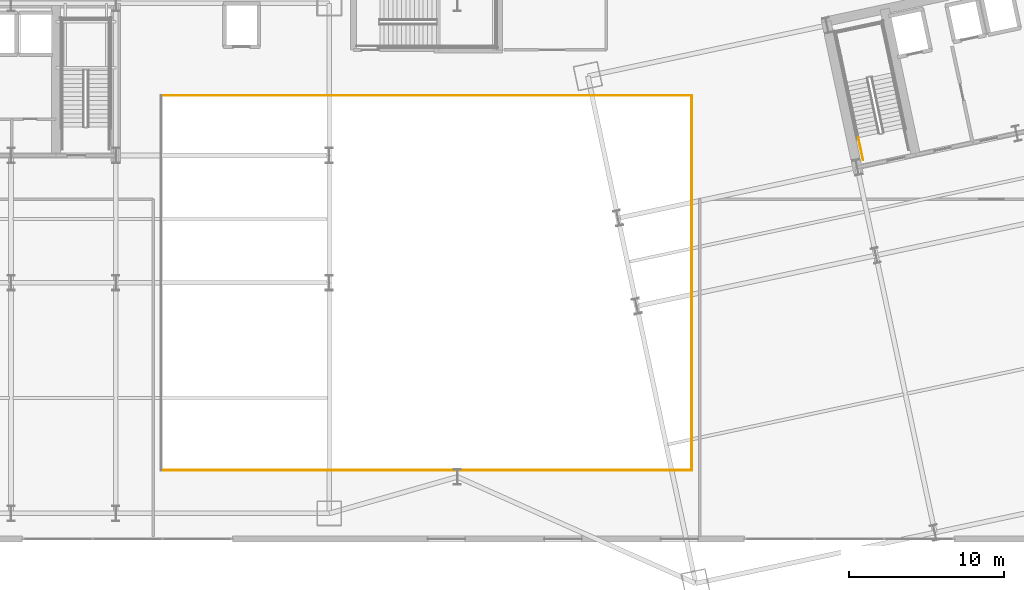
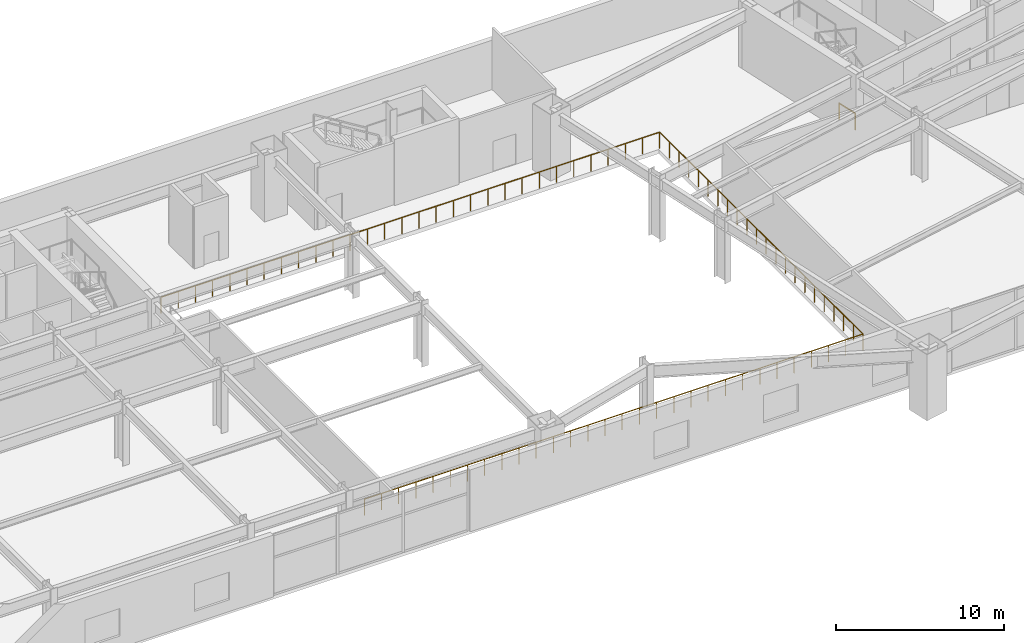
# One storey, part 22 of 25: 4 railings.
"""IFC4 building model written with IfcOpenShell, lengths in metres."""

import ifcopenshell
import ifcopenshell.guid

model = None  # the IFC model being written
_history = None  # IfcOwnerHistory: only IFC2X3 demands one
_inside = {}  # id of a spatial element -> (the spatial element, [elements in it])
_under = {}  # id of a project, library or spatial element -> (it, [spatial elements below it])
_declared = {}  # id of a project -> (the project, [libraries it declares])
_typed = {}  # id of a type object -> (the type object, [elements of that type])
_made_of = {}  # id of a material, layer set ... -> (it, [elements and type objects made of it])


def new_model(schema):
    """Start an empty IFC model of exactly this schema.

    Asked for "IFC4X3", IfcOpenShell would pick the latest addendum, in which some entities
    have other attributes; the version numbers below select the first issue.
    IFC2X3 requires an IfcOwnerHistory on every rooted entity: one is made here for all.
    """
    global model, _history
    if schema == "IFC4X3":
        model = ifcopenshell.file(schema_version=(4, 3, 0, 0))
    else:
        model = ifcopenshell.file(schema=schema)
    _inside.clear()
    _under.clear()
    _declared.clear()
    _typed.clear()
    _made_of.clear()
    _history = None
    if model.schema == "IFC2X3":
        org = make("IfcOrganization", Name="unknown")
        user = make(
            "IfcPersonAndOrganization",
            ThePerson=make("IfcPerson", FamilyName="unknown"),
            TheOrganization=org,
        )
        app = make(
            "IfcApplication",
            ApplicationDeveloper=org,
            Version="unknown",
            ApplicationFullName="unknown",
            ApplicationIdentifier="unknown",
        )
        _history = make(
            "IfcOwnerHistory",
            OwningUser=user,
            OwningApplication=app,
            ChangeAction="ADDED",
            CreationDate=0,
        )
    return model


def make(cls, **values):
    """One entity of the class cls with the attributes given. An attribute that is None is left unset."""
    return model.create_entity(
        cls, **{name: value for name, value in values.items() if value is not None}
    )


def rooted(cls, **values):
    """An entity with a GlobalId (a new one), such as an element, a storey or a relation."""
    return make(cls, GlobalId=ifcopenshell.guid.new(), OwnerHistory=_history, **values)


def si_unit(unit_type, name, prefix=None):
    """IfcSIUnit, for example si_unit("LENGTHUNIT", "METRE", prefix="MILLI")."""
    return make("IfcSIUnit", UnitType=unit_type, Prefix=prefix, Name=name)


def assignment(units):
    """IfcUnitAssignment: the units of a project."""
    return None if units is None else make("IfcUnitAssignment", Units=units)


def point(xyz):
    """IfcCartesianPoint."""
    return None if xyz is None else make("IfcCartesianPoint", Coordinates=xyz)


def direction(xyz):
    """IfcDirection."""
    return None if xyz is None else make("IfcDirection", DirectionRatios=xyz)


def frame(location, z_axis=None, x_axis=None):
    """IfcAxis2Placement3D, a coordinate frame: its origin and axes. An axis left out is left unset."""
    return make(
        "IfcAxis2Placement3D",
        Location=point(location),
        Axis=direction(z_axis),
        RefDirection=direction(x_axis),
    )


def frame_2d(location, x_axis=None):
    """IfcAxis2Placement2D, a coordinate frame in the plane: its origin and x axis."""
    return make(
        "IfcAxis2Placement2D", Location=point(location), RefDirection=direction(x_axis)
    )


def origin():
    """The frame at (0, 0, 0) with its axes left unset."""
    return frame((0.0, 0.0, 0.0))


def origin_2d():
    """The frame at (0, 0) in the plane with its x axis left unset."""
    return frame_2d((0.0, 0.0))


def place(relative_to, where):
    """IfcLocalPlacement: puts the frame where relative to a parent placement (None: the world)."""
    return make(
        "IfcLocalPlacement", PlacementRelTo=relative_to, RelativePlacement=where
    )


def context(
    kind, dimensions, precision=None, world=None, true_north=None, identifier=None
):
    """IfcGeometricRepresentationContext, for example the 3D "Model" context."""
    return make(
        "IfcGeometricRepresentationContext",
        ContextIdentifier=identifier,
        ContextType=kind,
        CoordinateSpaceDimension=dimensions,
        Precision=precision,
        WorldCoordinateSystem=world,
        TrueNorth=true_north,
    )


def subcontext(parent, identifier, kind, view, scale=None):
    """IfcGeometricRepresentationSubContext, for example "Body" below "Model"."""
    return make(
        "IfcGeometricRepresentationSubContext",
        ContextIdentifier=identifier,
        ContextType=kind,
        ParentContext=parent,
        TargetScale=scale,
        TargetView=view,
    )


def project(units=None, contexts=None):
    """IfcProject with its units and contexts."""
    return rooted(
        "IfcProject",
        Name="project",
        RepresentationContexts=contexts,
        UnitsInContext=assignment(units),
    )


def spatial(cls, under=None, at=None, **own):
    """A site, building, storey or space (cls), placed at a placement, below another one or the project."""
    s = rooted(cls, ObjectPlacement=at, **own)
    if under is not None:
        _under.setdefault(under.id(), (under, []))[1].append(s)
    return s


def profile(cls, at=None, kind="AREA", **sizes):
    """A parametric profile (cls). Its sizes go by their IFC names, for example OverallWidth=200.0."""
    return make(cls, ProfileType=kind, Position=at, **sizes)


def rectangle(**sizes):
    """IfcRectangleProfileDef."""
    return profile("IfcRectangleProfileDef", **sizes)


def extrude(swept, where, along, depth):
    """IfcExtrudedAreaSolid: the profile swept, set in the frame where, extruded along a direction by depth."""
    return make(
        "IfcExtrudedAreaSolid",
        SweptArea=swept,
        Position=where,
        ExtrudedDirection=direction(along),
        Depth=depth,
    )


def shape(context_of_items, identifier, shape_type, items):
    """IfcShapeRepresentation: the items that make up one representation, for example the "Body"."""
    return make(
        "IfcShapeRepresentation",
        ContextOfItems=context_of_items,
        RepresentationIdentifier=identifier,
        RepresentationType=shape_type,
        Items=items,
    )


def material(Name=None, Category=None):
    """IfcMaterial."""
    return make("IfcMaterial", Name=Name, Category=Category)


def made_of(thing, what):
    """Note that an element or type object is made of a material, layer set ...; save() writes the relation."""
    if what is not None:
        _made_of.setdefault(what.id(), (what, []))[1].append(thing)
    return thing


def type_object(cls, material=None, **own):
    """A type object (cls), such as IfcWallType, which elements share."""
    return made_of(rooted(cls, **own), material)


def element(
    cls,
    number,
    at=None,
    inside=None,
    cuts=None,
    type_object=None,
    material=None,
    context=None,
    identifier="Body",
    shape_type=None,
    held_by="IfcProductDefinitionShape",
    body=None,
    shapes=None,
    **own,
):
    """One element of the class cls, such as IfcWall. Its Tag is "e" and its number.

    at: its placement. inside: the storey or other place that contains it. cuts: it is an
    opening in that element (IfcRelVoidsElement). A single representation is given by context,
    identifier, shape_type and body (its items); several are given by shapes. held_by: the class
    of the entity that holds the representations. save() writes the other relations.
    """
    e = rooted(cls, Tag="e%d" % number, ObjectPlacement=at, **own)
    if body is not None:
        shapes = [shape(context, identifier, shape_type, body)]
    if shapes is not None:
        e.Representation = make(held_by, Representations=shapes)
    if inside is not None:
        _inside.setdefault(inside.id(), (inside, []))[1].append(e)
    if cuts is not None:
        rooted(
            "IfcRelVoidsElement", RelatingBuildingElement=cuts, RelatedOpeningElement=e
        )
    if type_object is not None:
        _typed.setdefault(type_object.id(), (type_object, []))[1].append(e)
    return made_of(e, material)


def aggregate(whole, parts):
    """IfcRelAggregates: a whole, such as a stair, and the parts it consists of."""
    return rooted("IfcRelAggregates", RelatingObject=whole, RelatedObjects=parts)


def save(model, path):
    """Write the relations noted so far, then the file.

    IfcRelAggregates (storeys below a building ...), IfcRelContainedInSpatialStructure (elements
    in a storey), IfcRelDefinesByType, IfcRelAssociatesMaterial and IfcRelDeclares: one each for
    every whole, place, type object, material and project.
    """
    for whole, parts in _under.values():
        aggregate(whole, parts)
    for where, things in _inside.values():
        rooted(
            "IfcRelContainedInSpatialStructure",
            RelatedElements=things,
            RelatingStructure=where,
        )
    for kind, things in _typed.values():
        rooted("IfcRelDefinesByType", RelatedObjects=things, RelatingType=kind)
    for what, things in _made_of.values():
        rooted("IfcRelAssociatesMaterial", RelatedObjects=things, RelatingMaterial=what)
    for by, libraries in _declared.values():
        rooted("IfcRelDeclares", RelatingContext=by, RelatedDefinitions=libraries)
    model.write(path)


model = new_model("IFC4")

# Units and contexts
model_context = context("Model", 3, precision=1e-05, world=origin(), true_north=direction((0.0, 1.0)))
body_context = subcontext(model_context, "Body", "Model", "MODEL_VIEW")
ifc_project = project(units=[si_unit("LENGTHUNIT", "METRE"), si_unit("AREAUNIT", "SQUARE_METRE"), si_unit("VOLUMEUNIT", "CUBIC_METRE"), si_unit("PLANEANGLEUNIT", "RADIAN"), si_unit("MASSUNIT", "GRAM", prefix="KILO")], contexts=[model_context])

# Site, building, storey
site_placement = place(None, origin())
site = spatial("IfcSite", under=ifc_project, at=site_placement, CompositionType="ELEMENT")
building_placement = place(site_placement, origin())
building = spatial("IfcBuilding", under=site, at=building_placement, Name="Haevon Station Towers", CompositionType="ELEMENT")
storey_placement = place(building_placement, frame((0.0, 0.0, 6.0)))
storey = spatial("IfcBuildingStorey", under=building, at=storey_placement, Name="L01", CompositionType="ELEMENT", Elevation=6.0)

# Railings
ifc_material = material(Name="Steel S355", Category="steel")
railing_type_1 = type_object("IfcRailingType", Name="BAL-ATR1200", PredefinedType="BALUSTRADE", material=ifc_material)
railing_1_placement = place(storey_placement, frame((53.90185546875, 17.930908203125, 0.0)))
element("IfcRailing", 1, at=railing_1_placement, inside=storey, type_object=railing_type_1, Name="L01 Atrium Void Balustrade 1", PredefinedType="BALUSTRADE", context=body_context, shape_type="SweptSolid", body=[
    extrude(rectangle(XDim=0.048095703125, YDim=0.048095703125, at=origin_2d()), frame((0.0, 0.0, 1.17578125), z_axis=(1.0, 0.0, 0.0), x_axis=(0.0, 1.0, 0.0)), (0.0, 0.0, 1.0), 34.1962890625),
    extrude(rectangle(XDim=0.0419921875, YDim=0.0419921875, at=origin_2d()), origin(), (0.0, 0.0, 1.0), 1.15185546875),
    extrude(rectangle(XDim=0.0419921875, YDim=0.0419921875, at=origin_2d()), frame((1.17919921875, 0.0, 0.0)), (0.0, 0.0, 1.0), 1.15185546875),
    extrude(rectangle(XDim=0.0419921875, YDim=0.0419921875, at=origin_2d()), frame((2.3583984375, 0.0, 0.0)), (0.0, 0.0, 1.0), 1.15185546875),
    extrude(rectangle(XDim=0.0419921875, YDim=0.0419921875, at=origin_2d()), frame((3.53759765625, 0.0, 0.0)), (0.0, 0.0, 1.0), 1.15185546875),
    extrude(rectangle(XDim=0.0419921875, YDim=0.0419921875, at=origin_2d()), frame((4.716796875, 0.0, 0.0)), (0.0, 0.0, 1.0), 1.15185546875),
    extrude(rectangle(XDim=0.0419921875, YDim=0.0419921875, at=origin_2d()), frame((5.89599609375, 0.0, 0.0)), (0.0, 0.0, 1.0), 1.15185546875),
    extrude(rectangle(XDim=0.0419921875, YDim=0.0419921875, at=origin_2d()), frame((7.0751953125, 0.0, 0.0)), (0.0, 0.0, 1.0), 1.15185546875),
    extrude(rectangle(XDim=0.0419921875, YDim=0.0419921875, at=origin_2d()), frame((8.25439453125, 0.0, 0.0)), (0.0, 0.0, 1.0), 1.15185546875),
    extrude(rectangle(XDim=0.0419921875, YDim=0.0419921875, at=origin_2d()), frame((9.433349609375, 0.0, 0.0)), (0.0, 0.0, 1.0), 1.15185546875),
    extrude(rectangle(XDim=0.0419921875, YDim=0.0419921875, at=origin_2d()), frame((10.612548828125, 0.0, 0.0)), (0.0, 0.0, 1.0), 1.15185546875),
    extrude(rectangle(XDim=0.0419921875, YDim=0.0419921875, at=origin_2d()), frame((11.791748046875, 0.0, 0.0)), (0.0, 0.0, 1.0), 1.15185546875),
    extrude(rectangle(XDim=0.0419921875, YDim=0.0419921875, at=origin_2d()), frame((12.970947265625, 0.0, 0.0)), (0.0, 0.0, 1.0), 1.15185546875),
    extrude(rectangle(XDim=0.0419921875, YDim=0.0419921875, at=origin_2d()), frame((14.150146484375, 0.0, 0.0)), (0.0, 0.0, 1.0), 1.15185546875),
    extrude(rectangle(XDim=0.0419921875, YDim=0.0419921875, at=origin_2d()), frame((15.329345703125, 0.0, 0.0)), (0.0, 0.0, 1.0), 1.15185546875),
    extrude(rectangle(XDim=0.0419921875, YDim=0.0419921875, at=origin_2d()), frame((16.508544921875, 0.0, 0.0)), (0.0, 0.0, 1.0), 1.15185546875),
    extrude(rectangle(XDim=0.0419921875, YDim=0.0419921875, at=origin_2d()), frame((17.687744140625, 0.0, 0.0)), (0.0, 0.0, 1.0), 1.15185546875),
    extrude(rectangle(XDim=0.0419921875, YDim=0.0419921875, at=origin_2d()), frame((18.866943359375, 0.0, 0.0)), (0.0, 0.0, 1.0), 1.15185546875),
    extrude(rectangle(XDim=0.0419921875, YDim=0.0419921875, at=origin_2d()), frame((20.046142578125, 0.0, 0.0)), (0.0, 0.0, 1.0), 1.15185546875),
    extrude(rectangle(XDim=0.0419921875, YDim=0.0419921875, at=origin_2d()), frame((21.225341796875, 0.0, 0.0)), (0.0, 0.0, 1.0), 1.15185546875),
    extrude(rectangle(XDim=0.0419921875, YDim=0.0419921875, at=origin_2d()), frame((22.404541015625, 0.0, 0.0)), (0.0, 0.0, 1.0), 1.15185546875),
    extrude(rectangle(XDim=0.0419921875, YDim=0.0419921875, at=origin_2d()), frame((23.583740234375, 0.0, 0.0)), (0.0, 0.0, 1.0), 1.15185546875),
    extrude(rectangle(XDim=0.0419921875, YDim=0.0419921875, at=origin_2d()), frame((24.762939453125, 0.0, 0.0)), (0.0, 0.0, 1.0), 1.15185546875),
    extrude(rectangle(XDim=0.0419921875, YDim=0.0419921875, at=origin_2d()), frame((25.94189453125, 0.0, 0.0)), (0.0, 0.0, 1.0), 1.15185546875),
    extrude(rectangle(XDim=0.0419921875, YDim=0.0419921875, at=origin_2d()), frame((27.12109375, 0.0, 0.0)), (0.0, 0.0, 1.0), 1.15185546875),
    extrude(rectangle(XDim=0.0419921875, YDim=0.0419921875, at=origin_2d()), frame((28.30029296875, 0.0, 0.0)), (0.0, 0.0, 1.0), 1.15185546875),
    extrude(rectangle(XDim=0.0419921875, YDim=0.0419921875, at=origin_2d()), frame((29.4794921875, 0.0, 0.0)), (0.0, 0.0, 1.0), 1.15185546875),
    extrude(rectangle(XDim=0.0419921875, YDim=0.0419921875, at=origin_2d()), frame((30.65869140625, 0.0, 0.0)), (0.0, 0.0, 1.0), 1.15185546875),
    extrude(rectangle(XDim=0.0419921875, YDim=0.0419921875, at=origin_2d()), frame((31.837890625, 0.0, 0.0)), (0.0, 0.0, 1.0), 1.15185546875),
    extrude(rectangle(XDim=0.0419921875, YDim=0.0419921875, at=origin_2d()), frame((33.01708984375, 0.0, 0.0)), (0.0, 0.0, 1.0), 1.15185546875),
    extrude(rectangle(XDim=0.0419921875, YDim=0.0419921875, at=origin_2d()), frame((34.1962890625, 0.0, 0.0)), (0.0, 0.0, 1.0), 1.15185546875),
])
railing_2_placement = place(storey_placement, frame((88.09814453125, 17.930908203125, 0.0)))
element("IfcRailing", 2, at=railing_2_placement, inside=storey, type_object=railing_type_1, Name="L01 Atrium Void Balustrade 2", PredefinedType="BALUSTRADE", context=body_context, shape_type="SweptSolid", body=[
    extrude(rectangle(XDim=0.048095703125, YDim=0.048095703125, at=origin_2d()), frame((0.0, 0.0, 1.17578125), z_axis=(0.0, 1.0, 0.0), x_axis=(-1.0, 0.0, 0.0)), (0.0, 0.0, 1.0), 24.13818359375),
    extrude(rectangle(XDim=0.0419921875, YDim=0.0419921875, at=origin_2d()), origin(), (0.0, 0.0, 1.0), 1.15185546875),
    extrude(rectangle(XDim=0.0419921875, YDim=0.0419921875, at=origin_2d()), frame((0.0, 1.1494140625, 0.0)), (0.0, 0.0, 1.0), 1.15185546875),
    extrude(rectangle(XDim=0.0419921875, YDim=0.0419921875, at=origin_2d()), frame((0.0, 2.298828125, 0.0)), (0.0, 0.0, 1.0), 1.15185546875),
    extrude(rectangle(XDim=0.0419921875, YDim=0.0419921875, at=origin_2d()), frame((0.0, 3.4482421875, 0.0)), (0.0, 0.0, 1.0), 1.15185546875),
    extrude(rectangle(XDim=0.0419921875, YDim=0.0419921875, at=origin_2d()), frame((0.0, 4.59765625, 0.0)), (0.0, 0.0, 1.0), 1.15185546875),
    extrude(rectangle(XDim=0.0419921875, YDim=0.0419921875, at=origin_2d()), frame((0.0, 5.7470703125, 0.0)), (0.0, 0.0, 1.0), 1.15185546875),
    extrude(rectangle(XDim=0.0419921875, YDim=0.0419921875, at=origin_2d()), frame((0.0, 6.896728515625, 0.0)), (0.0, 0.0, 1.0), 1.15185546875),
    extrude(rectangle(XDim=0.0419921875, YDim=0.0419921875, at=origin_2d()), frame((0.0, 8.046142578125, 0.0)), (0.0, 0.0, 1.0), 1.15185546875),
    extrude(rectangle(XDim=0.0419921875, YDim=0.0419921875, at=origin_2d()), frame((0.0, 9.195556640625, 0.0)), (0.0, 0.0, 1.0), 1.15185546875),
    extrude(rectangle(XDim=0.0419921875, YDim=0.0419921875, at=origin_2d()), frame((0.0, 10.344970703125, 0.0)), (0.0, 0.0, 1.0), 1.15185546875),
    extrude(rectangle(XDim=0.0419921875, YDim=0.0419921875, at=origin_2d()), frame((0.0, 11.494384765625, 0.0)), (0.0, 0.0, 1.0), 1.15185546875),
    extrude(rectangle(XDim=0.0419921875, YDim=0.0419921875, at=origin_2d()), frame((0.0, 12.643798828125, 0.0)), (0.0, 0.0, 1.0), 1.15185546875),
    extrude(rectangle(XDim=0.0419921875, YDim=0.0419921875, at=origin_2d()), frame((0.0, 13.793212890625, 0.0)), (0.0, 0.0, 1.0), 1.15185546875),
    extrude(rectangle(XDim=0.0419921875, YDim=0.0419921875, at=origin_2d()), frame((0.0, 14.942626953125, 0.0)), (0.0, 0.0, 1.0), 1.15185546875),
    extrude(rectangle(XDim=0.0419921875, YDim=0.0419921875, at=origin_2d()), frame((0.0, 16.092041015625, 0.0)), (0.0, 0.0, 1.0), 1.15185546875),
    extrude(rectangle(XDim=0.0419921875, YDim=0.0419921875, at=origin_2d()), frame((0.0, 17.241455078125, 0.0)), (0.0, 0.0, 1.0), 1.15185546875),
    extrude(rectangle(XDim=0.0419921875, YDim=0.0419921875, at=origin_2d()), frame((0.0, 18.39111328125, 0.0)), (0.0, 0.0, 1.0), 1.15185546875),
    extrude(rectangle(XDim=0.0419921875, YDim=0.0419921875, at=origin_2d()), frame((0.0, 19.54052734375, 0.0)), (0.0, 0.0, 1.0), 1.15185546875),
    extrude(rectangle(XDim=0.0419921875, YDim=0.0419921875, at=origin_2d()), frame((0.0, 20.68994140625, 0.0)), (0.0, 0.0, 1.0), 1.15185546875),
    extrude(rectangle(XDim=0.0419921875, YDim=0.0419921875, at=origin_2d()), frame((0.0, 21.83935546875, 0.0)), (0.0, 0.0, 1.0), 1.15185546875),
    extrude(rectangle(XDim=0.0419921875, YDim=0.0419921875, at=origin_2d()), frame((0.0, 22.98876953125, 0.0)), (0.0, 0.0, 1.0), 1.15185546875),
    extrude(rectangle(XDim=0.0419921875, YDim=0.0419921875, at=origin_2d()), frame((0.0, 24.13818359375, 0.0)), (0.0, 0.0, 1.0), 1.15185546875),
])
railing_3_placement = place(storey_placement, frame((88.09814453125, 42.069091796875, 0.0)))
element("IfcRailing", 3, at=railing_3_placement, inside=storey, type_object=railing_type_1, Name="L01 Atrium Void Balustrade 3", PredefinedType="BALUSTRADE", context=body_context, shape_type="SweptSolid", body=[
    extrude(rectangle(XDim=0.048095703125, YDim=0.048095703125, at=origin_2d()), frame((0.0, 0.0, 1.17578125), z_axis=(-1.0, 0.0, 0.0), x_axis=(0.0, -1.0, 0.0)), (0.0, 0.0, 1.0), 34.1962890625),
    extrude(rectangle(XDim=0.0419921875, YDim=0.0419921875, at=origin_2d()), origin(), (0.0, 0.0, 1.0), 1.15185546875),
    extrude(rectangle(XDim=0.0419921875, YDim=0.0419921875, at=origin_2d()), frame((-1.17919921875, 0.0, 0.0)), (0.0, 0.0, 1.0), 1.15185546875),
    extrude(rectangle(XDim=0.0419921875, YDim=0.0419921875, at=origin_2d()), frame((-2.3583984375, 0.0, 0.0)), (0.0, 0.0, 1.0), 1.15185546875),
    extrude(rectangle(XDim=0.0419921875, YDim=0.0419921875, at=origin_2d()), frame((-3.53759765625, 0.0, 0.0)), (0.0, 0.0, 1.0), 1.15185546875),
    extrude(rectangle(XDim=0.0419921875, YDim=0.0419921875, at=origin_2d()), frame((-4.716796875, 0.0, 0.0)), (0.0, 0.0, 1.0), 1.15185546875),
    extrude(rectangle(XDim=0.0419921875, YDim=0.0419921875, at=origin_2d()), frame((-5.89599609375, 0.0, 0.0)), (0.0, 0.0, 1.0), 1.15185546875),
    extrude(rectangle(XDim=0.0419921875, YDim=0.0419921875, at=origin_2d()), frame((-7.0751953125, 0.0, 0.0)), (0.0, 0.0, 1.0), 1.15185546875),
    extrude(rectangle(XDim=0.0419921875, YDim=0.0419921875, at=origin_2d()), frame((-8.25439453125, 0.0, 0.0)), (0.0, 0.0, 1.0), 1.15185546875),
    extrude(rectangle(XDim=0.0419921875, YDim=0.0419921875, at=origin_2d()), frame((-9.433349609375, 0.0, 0.0)), (0.0, 0.0, 1.0), 1.15185546875),
    extrude(rectangle(XDim=0.0419921875, YDim=0.0419921875, at=origin_2d()), frame((-10.612548828125, 0.0, 0.0)), (0.0, 0.0, 1.0), 1.15185546875),
    extrude(rectangle(XDim=0.0419921875, YDim=0.0419921875, at=origin_2d()), frame((-11.791748046875, 0.0, 0.0)), (0.0, 0.0, 1.0), 1.15185546875),
    extrude(rectangle(XDim=0.0419921875, YDim=0.0419921875, at=origin_2d()), frame((-12.970947265625, 0.0, 0.0)), (0.0, 0.0, 1.0), 1.15185546875),
    extrude(rectangle(XDim=0.0419921875, YDim=0.0419921875, at=origin_2d()), frame((-14.150146484375, 0.0, 0.0)), (0.0, 0.0, 1.0), 1.15185546875),
    extrude(rectangle(XDim=0.0419921875, YDim=0.0419921875, at=origin_2d()), frame((-15.329345703125, 0.0, 0.0)), (0.0, 0.0, 1.0), 1.15185546875),
    extrude(rectangle(XDim=0.0419921875, YDim=0.0419921875, at=origin_2d()), frame((-16.508544921875, 0.0, 0.0)), (0.0, 0.0, 1.0), 1.15185546875),
    extrude(rectangle(XDim=0.0419921875, YDim=0.0419921875, at=origin_2d()), frame((-17.687744140625, 0.0, 0.0)), (0.0, 0.0, 1.0), 1.15185546875),
    extrude(rectangle(XDim=0.0419921875, YDim=0.0419921875, at=origin_2d()), frame((-18.866943359375, 0.0, 0.0)), (0.0, 0.0, 1.0), 1.15185546875),
    extrude(rectangle(XDim=0.0419921875, YDim=0.0419921875, at=origin_2d()), frame((-20.046142578125, 0.0, 0.0)), (0.0, 0.0, 1.0), 1.15185546875),
    extrude(rectangle(XDim=0.0419921875, YDim=0.0419921875, at=origin_2d()), frame((-21.225341796875, 0.0, 0.0)), (0.0, 0.0, 1.0), 1.15185546875),
    extrude(rectangle(XDim=0.0419921875, YDim=0.0419921875, at=origin_2d()), frame((-22.404541015625, 0.0, 0.0)), (0.0, 0.0, 1.0), 1.15185546875),
    extrude(rectangle(XDim=0.0419921875, YDim=0.0419921875, at=origin_2d()), frame((-23.583740234375, 0.0, 0.0)), (0.0, 0.0, 1.0), 1.15185546875),
    extrude(rectangle(XDim=0.0419921875, YDim=0.0419921875, at=origin_2d()), frame((-24.762939453125, 0.0, 0.0)), (0.0, 0.0, 1.0), 1.15185546875),
    extrude(rectangle(XDim=0.0419921875, YDim=0.0419921875, at=origin_2d()), frame((-25.94189453125, 0.0, 0.0)), (0.0, 0.0, 1.0), 1.15185546875),
    extrude(rectangle(XDim=0.0419921875, YDim=0.0419921875, at=origin_2d()), frame((-27.12109375, 0.0, 0.0)), (0.0, 0.0, 1.0), 1.15185546875),
    extrude(rectangle(XDim=0.0419921875, YDim=0.0419921875, at=origin_2d()), frame((-28.30029296875, 0.0, 0.0)), (0.0, 0.0, 1.0), 1.15185546875),
    extrude(rectangle(XDim=0.0419921875, YDim=0.0419921875, at=origin_2d()), frame((-29.4794921875, 0.0, 0.0)), (0.0, 0.0, 1.0), 1.15185546875),
    extrude(rectangle(XDim=0.0419921875, YDim=0.0419921875, at=origin_2d()), frame((-30.65869140625, 0.0, 0.0)), (0.0, 0.0, 1.0), 1.15185546875),
    extrude(rectangle(XDim=0.0419921875, YDim=0.0419921875, at=origin_2d()), frame((-31.837890625, 0.0, 0.0)), (0.0, 0.0, 1.0), 1.15185546875),
    extrude(rectangle(XDim=0.0419921875, YDim=0.0419921875, at=origin_2d()), frame((-33.01708984375, 0.0, 0.0)), (0.0, 0.0, 1.0), 1.15185546875),
    extrude(rectangle(XDim=0.0419921875, YDim=0.0419921875, at=origin_2d()), frame((-34.1962890625, 0.0, 0.0)), (0.0, 0.0, 1.0), 1.15185546875),
])
railing_type_2 = type_object("IfcRailingType", Name="GRD-STR1200", PredefinedType="GUARDRAIL", material=ifc_material)
railing_4_placement = place(storey_placement, frame((99.12890625, 37.931396484375, 0.0)))
element("IfcRailing", 4, at=railing_4_placement, inside=storey, type_object=railing_type_2, Name="L01 ST3 Stair Guard 9", PredefinedType="GUARDRAIL", context=body_context, shape_type="SweptSolid", body=[
    extrude(rectangle(XDim=0.048095703125, YDim=0.048095703125, at=origin_2d()), frame((0.0, 0.0, 1.17578125), z_axis=(-0.207953405961, 0.978138732977, 0.0), x_axis=(-0.978138732977, -0.207953405961, 0.0)), (0.0, 0.0, 1.0), 1.449951171875),
    extrude(rectangle(XDim=0.0419921875, YDim=0.0419921875, at=origin_2d()), origin(), (0.0, 0.0, 1.0), 1.15185546875),
    extrude(rectangle(XDim=0.0419921875, YDim=0.0419921875, at=origin_2d()), frame((-0.301513671875, 1.418212890625, 0.0)), (0.0, 0.0, 1.0), 1.15185546875),
])

save(model, "model.ifc")
